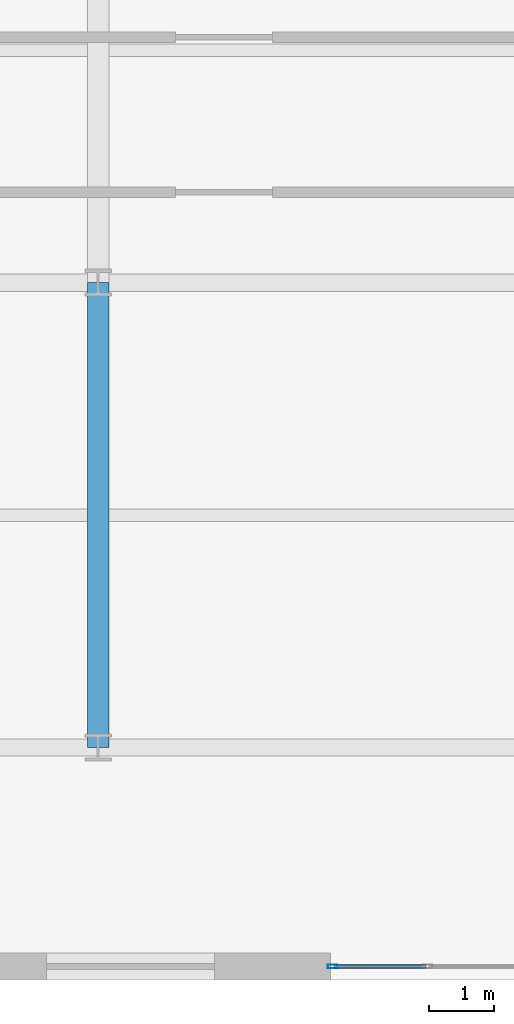
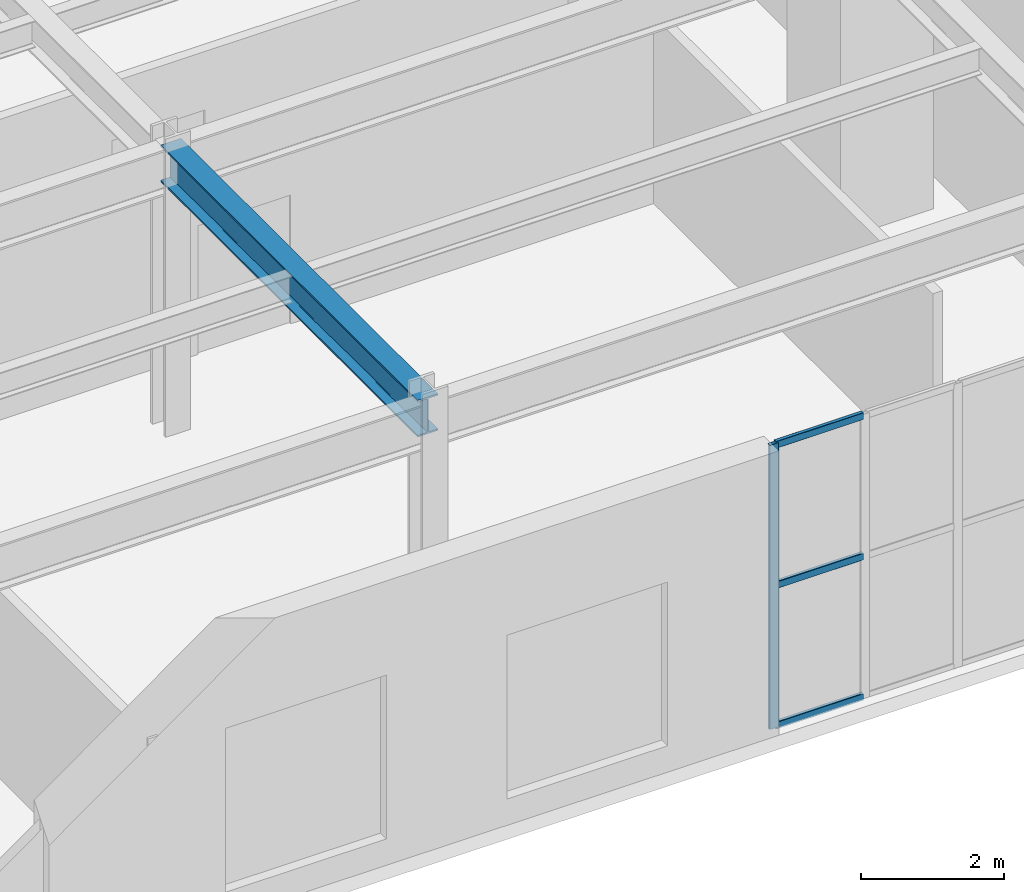
# One storey, part 6 of 23: 4 members, 1 beam, 1 element without a shape of its own.
"""IFC4 building model written with IfcOpenShell, lengths in metres."""

from ifc_helpers import new_model, entity, si_unit, converted_unit, direction, frame, origin_with_axes, origin_2d_with_axis, place, context, subcontext, project, spatial, hollow_rectangle, i_section, extrude, material, material_profile, profile_set, type_object, element, aggregate, save


model = new_model("IFC4")

# Units and contexts
model_context = context("Model", 3, precision=1e-05, world=origin_with_axes(), true_north=direction((0.0, 1.0)))
body_context = subcontext(model_context, "Body", "Model", "MODEL_VIEW")
ifc_project = project(units=[si_unit("LENGTHUNIT", "METRE"), si_unit("AREAUNIT", "SQUARE_METRE"), si_unit("VOLUMEUNIT", "CUBIC_METRE"), converted_unit("PLANEANGLEUNIT", "DEGREE", entity("IfcPlaneAngleMeasure", 0.017453292519943295), si_unit("PLANEANGLEUNIT", "RADIAN"), dimensions=[0, 0, 0, 0, 0, 0, 0]), si_unit("MASSUNIT", "GRAM", prefix="KILO"), si_unit("THERMODYNAMICTEMPERATUREUNIT", "KELVIN")], contexts=[model_context])

# Site, building, storey
site_placement = place(None, origin_with_axes())
site = spatial("IfcSite", under=ifc_project, at=site_placement, CompositionType="ELEMENT")
building_placement = place(site_placement, origin_with_axes())
building = spatial("IfcBuilding", under=site, at=building_placement, Name="Varnlund Millrace Tower", CompositionType="ELEMENT")
storey_placement = place(building_placement, frame((0.0, 0.0, 5.7), z_axis=(0.0, 0.0, 1.0), x_axis=(1.0, 0.0, 0.0)))
storey = spatial("IfcBuildingStorey", under=building, at=storey_placement, Name="L01", CompositionType="ELEMENT", Elevation=5.7)

# Curtain wall, members
ifc_material_1 = material(Name="Thermally broken architectural bronze curtain wall", Category="aluminium")
curtain_wall_type = type_object("IfcCurtainWallType", Name="Type-CW-Sys2-Skyway", PredefinedType="NOTDEFINED", material=ifc_material_1)
curtain_wall_placement = place(storey_placement, frame((37.2, 0.21, 0.0), z_axis=(0.0, 0.0, 1.0), x_axis=(1.0, 0.0, 0.0)))
curtain_wall = element("IfcCurtainWall", 1, at=curtain_wall_placement, inside=storey, type_object=curtain_wall_type, Name="Type-CW-Sys2-Skyway", PredefinedType="NOTDEFINED")
ifc_material_2 = material(Name="Architectural bronze aluminium alloy 6063-T6", Category="aluminium")
ifc_material_profile_1 = material_profile(ifc_material_2, hollow_rectangle(XDim=0.06, YDim=0.15, WallThickness=0.004, InnerFilletRadius=0.004, OuterFilletRadius=0.008, at=origin_2d_with_axis()), Name="Architectural bronze aluminium alloy 6063-T6")
ifc_profile_set_1 = profile_set([ifc_material_profile_1], Name="Architectural bronze aluminium alloy 6063-T6")
member_type_1 = type_object("IfcMemberType", Name="Type-CW-Mullion-60X150", PredefinedType="MULLION", material=ifc_profile_set_1)
member_1_placement = place(storey_placement, frame((31.23, 0.21, 0.0), z_axis=(0.0, 0.0, 1.0), x_axis=(0.0, -1.0, 0.0)))
member_1 = element("IfcMember", 2, at=member_1_placement, type_object=member_type_1, Name="CW-02 mullion 5", PredefinedType="MULLION", context=body_context, shape_type="SweptSolid", body=[
    extrude(hollow_rectangle(XDim=0.06, YDim=0.15, WallThickness=0.004, InnerFilletRadius=0.004, OuterFilletRadius=0.008, at=origin_2d_with_axis()), origin_with_axes(), (0.0, 0.0, 1.0), 4.86),
])
ifc_material_profile_2 = material_profile(ifc_material_2, hollow_rectangle(XDim=0.06, YDim=0.12, WallThickness=0.004, InnerFilletRadius=0.004, OuterFilletRadius=0.008, at=origin_2d_with_axis()), Name="Architectural bronze aluminium alloy 6063-T6")
ifc_profile_set_2 = profile_set([ifc_material_profile_2], Name="Architectural bronze aluminium alloy 6063-T6")
member_type_2 = type_object("IfcMemberType", Name="Type-CW-Transom-60X120", PredefinedType="USERDEFINED", material=ifc_profile_set_2)
member_2_placement = place(storey_placement, frame((32.67, 0.21, 0.03), z_axis=(-1.0, 0.0, 0.0), x_axis=(0.0, -1.0, 0.0)))
member_2 = element("IfcMember", 3, at=member_2_placement, type_object=member_type_2, Name="CW-02 transom 4.1", ObjectType="TRANSOM", PredefinedType="USERDEFINED", context=body_context, shape_type="SweptSolid", body=[
    extrude(hollow_rectangle(XDim=0.06, YDim=0.12, WallThickness=0.004, InnerFilletRadius=0.004, OuterFilletRadius=0.008, at=origin_2d_with_axis()), origin_with_axes(), (0.0, 0.0, 1.0), 1.41),
])
member_3_placement = place(storey_placement, frame((32.67, 0.21, 2.43), z_axis=(-1.0, 0.0, 0.0), x_axis=(0.0, -1.0, 0.0)))
member_3 = element("IfcMember", 4, at=member_3_placement, type_object=member_type_2, Name="CW-02 transom 4.2", ObjectType="TRANSOM", PredefinedType="USERDEFINED", context=body_context, shape_type="SweptSolid", body=[
    extrude(hollow_rectangle(XDim=0.06, YDim=0.12, WallThickness=0.004, InnerFilletRadius=0.004, OuterFilletRadius=0.008, at=origin_2d_with_axis()), origin_with_axes(), (0.0, 0.0, 1.0), 1.41),
])
member_4_placement = place(storey_placement, frame((32.67, 0.21, 4.83), z_axis=(-1.0, 0.0, 0.0), x_axis=(0.0, -1.0, 0.0)))
member_4 = element("IfcMember", 5, at=member_4_placement, type_object=member_type_2, Name="CW-02 transom 4.3", ObjectType="TRANSOM", PredefinedType="USERDEFINED", context=body_context, shape_type="SweptSolid", body=[
    extrude(hollow_rectangle(XDim=0.06, YDim=0.12, WallThickness=0.004, InnerFilletRadius=0.004, OuterFilletRadius=0.008, at=origin_2d_with_axis()), origin_with_axes(), (0.0, 0.0, 1.0), 1.41),
])
aggregate(curtain_wall, [member_1, member_2, member_3, member_4])

# Beam
ifc_material_3 = material(Name="Steel ASTM A992 Grade 50", Category="steel")
ifc_material_profile_3 = material_profile(ifc_material_3, i_section(OverallWidth=0.328, OverallDepth=0.628, WebThickness=0.0165, FlangeThickness=0.0277, FilletRadius=0.018, at=origin_2d_with_axis()), Name="Steel ASTM A992 Grade 50")
ifc_profile_set_3 = profile_set([ifc_material_profile_3], Name="Steel ASTM A992 Grade 50")
beam_type = type_object("IfcBeamType", Name="Type-Girder-W24X146", PredefinedType="USERDEFINED", material=ifc_profile_set_3)
beam_placement = place(storey_placement, frame((27.6, 3.6, 4.546), z_axis=(0.0, 1.0, 0.0), x_axis=(-1.0, 0.0, 0.0)))
element("IfcBeam", 6, at=beam_placement, inside=storey, type_object=beam_type, Name="Type-Girder-W24X146", ObjectType="GIRDER", PredefinedType="USERDEFINED", context=body_context, shape_type="SweptSolid", body=[
    extrude(i_section(OverallWidth=0.328, OverallDepth=0.628, WebThickness=0.0165, FlangeThickness=0.0277, FilletRadius=0.018, at=origin_2d_with_axis()), origin_with_axes(), (0.0, 0.0, 1.0), 7.2),
])

save(model, "model.ifc")
